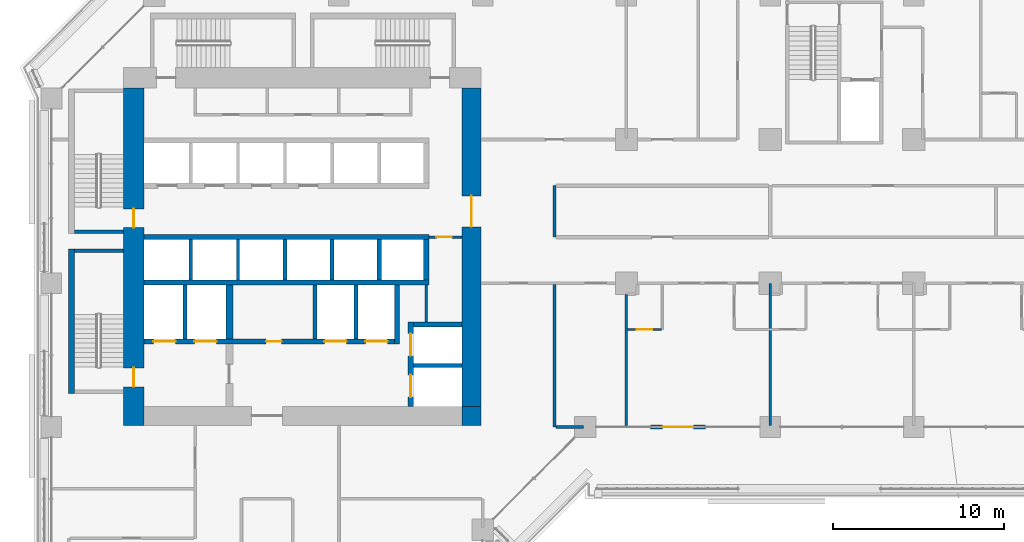
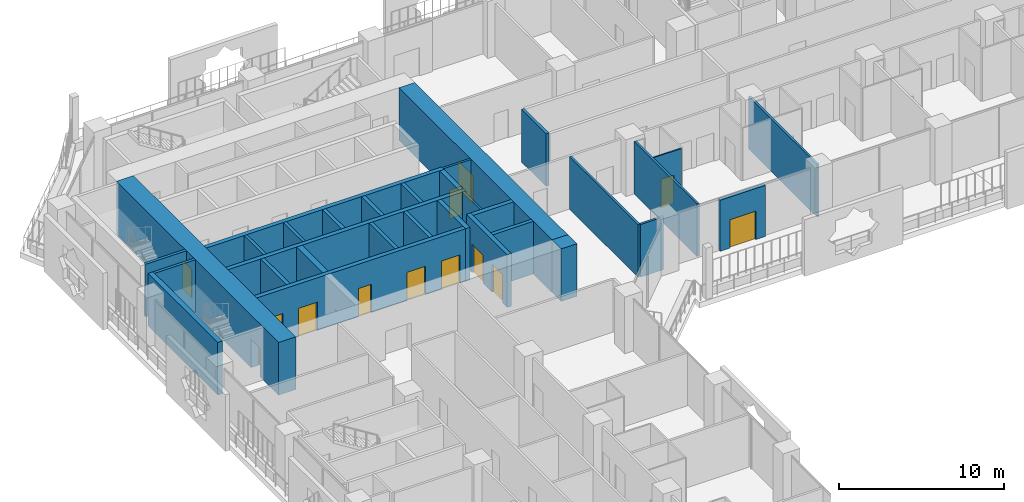
# One storey, part 16 of 29: 32 walls, 13 doors, 13 openings.
"""IFC4 building model written with IfcOpenShell, lengths in metres."""

from ifc_helpers import new_model, si_unit, direction, frame, frame_2d, origin, place, context, subcontext, project, spatial, rectangle, extrude, material, layer, layer_set, type_object, element, fill, save


model = new_model("IFC4")

# Units and contexts
model_context = context("Model", 3, precision=1e-05, world=origin(), true_north=direction((0.0, 1.0)))
body_context = subcontext(model_context, "Body", "Model", "MODEL_VIEW")
ifc_project = project(units=[si_unit("LENGTHUNIT", "METRE"), si_unit("AREAUNIT", "SQUARE_METRE"), si_unit("VOLUMEUNIT", "CUBIC_METRE"), si_unit("PLANEANGLEUNIT", "RADIAN"), si_unit("MASSUNIT", "GRAM", prefix="KILO")], contexts=[model_context])

# Site, building, storey
site_placement = place(None, origin())
site = spatial("IfcSite", under=ifc_project, at=site_placement, CompositionType="ELEMENT")
building_placement = place(site_placement, origin())
building = spatial("IfcBuilding", under=site, at=building_placement, Name="Kawkab Arch Medical Tower", CompositionType="ELEMENT")
storey_placement = place(building_placement, frame((0.0, 0.0, 60.199951171875)))
storey = spatial("IfcBuildingStorey", under=building, at=storey_placement, Name="L13", CompositionType="ELEMENT", Elevation=60.199951171875)

# Wall, opening, door
ifc_material_1 = material(Name="Concrete C60/75", Category="concrete")
ifc_layer_1 = layer(ifc_material_1, 1.10009765625)
ifc_layer_set_1 = layer_set([ifc_layer_1], Name="Concrete C60/75")
wall_type_1 = type_object("IfcWallType", Name="Core ring wall 1100 C60/75", PredefinedType="SHEAR", material=ifc_layer_set_1)
wall_1_placement = place(storey_placement, frame((24.550048828125, -24.0, 0.0), z_axis=(0.0, 0.0, 1.0), x_axis=(0.0, 1.0, 0.0)))
wall_1 = element("IfcWall", 1, at=wall_1_placement, inside=storey, type_object=wall_type_1, Name="L13 core wall", PredefinedType="SHEAR", context=body_context, shape_type="SweptSolid", body=[
    extrude(rectangle(XDim=18.60009765625, YDim=1.10009765625, at=frame_2d((9.300048828125, 0.0))), origin(), (0.0, 0.0, 1.0), 3.900146484375),
])
opening_1_placement = place(wall_1_placement, frame((10.5, 0.0, 0.0)))
opening_1 = element("IfcOpeningElement", 2, at=opening_1_placement, cuts=wall_1, Name="Opening PD", PredefinedType="OPENING", context=body_context, shape_type="SweptSolid", body=[
    extrude(rectangle(XDim=1.800048828125, YDim=2.10009765625, at=frame_2d((0.89990234375, 1.050048828125))), frame((0.0, 0.56005859375, 0.0), z_axis=(0.0, -1.0, 0.0), x_axis=(1.0, 0.0, 0.0)), (0.0, 0.0, 1.0), 1.1201171875),
])
ifc_material_2 = material(Name="Hollow metal fire door leaf")
door_type_1 = type_object("IfcDoorType", Name="Core entrance doors 1800", OperationType="DOUBLE_DOOR_SINGLE_SWING", PredefinedType="DOOR", material=ifc_material_2)
door_1_placement = place(opening_1_placement, origin())
door_1 = element("IfcDoor", 3, at=door_1_placement, inside=storey, type_object=door_type_1, Name="L13 East entrance doors", OperationType="DOUBLE_DOOR_SINGLE_SWING", OverallHeight=2.10009765625, OverallWidth=1.800048828125, PredefinedType="DOOR", context=body_context, shape_type="SweptSolid", body=[
    extrude(rectangle(XDim=1.800048828125, YDim=2.10009765625, at=frame_2d((0.89990234375, 1.050048828125))), frame((0.0, 0.02490234375, 0.0), z_axis=(0.0, -1.0, 0.0), x_axis=(1.0, 0.0, 0.0)), (0.0, 0.0, 1.0), 0.050048828125),
])
fill(opening_1, door_1)

# Wall
wall_2_placement = place(storey_placement, frame((24.550048828125, -25.10009765625, 0.0), z_axis=(0.0, 0.0, 1.0), x_axis=(0.0, 1.0, 0.0)))
element("IfcWall", 4, at=wall_2_placement, inside=storey, type_object=wall_type_1, Name="L13 core wall", PredefinedType="SHEAR", context=body_context, shape_type="SweptSolid", body=[
    extrude(rectangle(XDim=1.10009765625, YDim=1.10009765625, at=frame_2d((0.550048828125, 0.0))), origin(), (0.0, 0.0, 1.0), 3.900146484375),
])

# Wall, openings, doors
ifc_material_3 = material(Name="Concrete C60/75", Category="concrete")
ifc_layer_2 = layer(ifc_material_3, 1.199951171875)
ifc_layer_set_2 = layer_set([ifc_layer_2], Name="Concrete C60/75")
wall_type_2 = type_object("IfcWallType", Name="Core ring wall 1200 C60/75", PredefinedType="SHEAR", material=ifc_layer_set_2)
wall_3_placement = place(storey_placement, frame((4.800048828125, -25.10009765625, 0.0), z_axis=(0.0, 0.0, 1.0), x_axis=(0.0, 1.0, 0.0)))
wall_3 = element("IfcWall", 5, at=wall_3_placement, inside=storey, type_object=wall_type_2, Name="L13 core wall", PredefinedType="SHEAR", context=body_context, shape_type="SweptSolid", body=[
    extrude(rectangle(XDim=19.7001953125, YDim=1.199951171875, at=frame_2d((9.85009765625, 0.0))), origin(), (0.0, 0.0, 1.0), 3.900146484375),
])
opening_2_placement = place(wall_3_placement, frame((11.550048828125, 0.0, 0.0)))
opening_2 = element("IfcOpeningElement", 6, at=opening_2_placement, cuts=wall_3, Name="Opening SD", PredefinedType="OPENING", context=body_context, shape_type="SweptSolid", body=[
    extrude(rectangle(XDim=1.10009765625, YDim=2.10009765625, at=frame_2d((0.550048828125, 1.050048828125))), frame((0.0, 0.60986328125, 0.0), z_axis=(0.0, -1.0, 0.0), x_axis=(1.0, 0.0, 0.0)), (0.0, 0.0, 1.0), 1.219970703125),
])
opening_3_placement = place(wall_3_placement, frame((2.25, 0.0, 0.0)))
opening_3 = element("IfcOpeningElement", 7, at=opening_3_placement, cuts=wall_3, Name="Opening SD", PredefinedType="OPENING", context=body_context, shape_type="SweptSolid", body=[
    extrude(rectangle(XDim=1.10009765625, YDim=2.10009765625, at=frame_2d((0.550048828125, 1.050048828125))), frame((0.0, 0.60986328125, 0.0), z_axis=(0.0, -1.0, 0.0), x_axis=(1.0, 0.0, 0.0)), (0.0, 0.0, 1.0), 1.219970703125),
])
ifc_material_4 = material(Name="Hollow metal fire door leaf")
door_type_2 = type_object("IfcDoorType", Name="Exit stair door 1100", OperationType="SINGLE_SWING_LEFT", PredefinedType="DOOR", material=ifc_material_4)
door_2_placement = place(opening_2_placement, origin())
door_2 = element("IfcDoor", 8, at=door_2_placement, inside=storey, type_object=door_type_2, Name="L13 Exit stair ST1 door", OperationType="SINGLE_SWING_LEFT", OverallHeight=2.10009765625, OverallWidth=1.10009765625, PredefinedType="DOOR", context=body_context, shape_type="SweptSolid", body=[
    extrude(rectangle(XDim=1.10009765625, YDim=2.10009765625, at=frame_2d((0.550048828125, 1.050048828125))), frame((0.0, 0.02490234375, 0.0), z_axis=(0.0, -1.0, 0.0), x_axis=(1.0, 0.0, 0.0)), (0.0, 0.0, 1.0), 0.050048828125),
])
fill(opening_2, door_2)
door_3_placement = place(opening_3_placement, origin())
door_3 = element("IfcDoor", 9, at=door_3_placement, inside=storey, type_object=door_type_2, Name="L13 Exit stair ST2 door", OperationType="SINGLE_SWING_LEFT", OverallHeight=2.10009765625, OverallWidth=1.10009765625, PredefinedType="DOOR", context=body_context, shape_type="SweptSolid", body=[
    extrude(rectangle(XDim=1.10009765625, YDim=2.10009765625, at=frame_2d((0.550048828125, 1.050048828125))), frame((0.0, 0.02490234375, 0.0), z_axis=(0.0, -1.0, 0.0), x_axis=(1.0, 0.0, 0.0)), (0.0, 0.0, 1.0), 0.050048828125),
])
fill(opening_3, door_3)

# Wall
ifc_material_5 = material(Name="Gypsum board on steel studs", Category="steel")
ifc_layer_3 = layer(ifc_material_5, 0.14990234375)
ifc_layer_set_3 = layer_set([ifc_layer_3], Name="Gypsum board on steel studs")
wall_type_3 = type_object("IfcWallType", Name="Core room partition 150", PredefinedType="PARTITIONING", material=ifc_layer_set_3)
wall_4_placement = place(storey_placement, frame((21.89990234375, -19.050048828125, 0.0), z_axis=(0.0, 0.0, 1.0), x_axis=(0.0, 1.0, 0.0)))
element("IfcWall", 10, at=wall_4_placement, inside=storey, type_object=wall_type_3, Name="L13 core room partition", PredefinedType="PARTITIONING", context=body_context, shape_type="SweptSolid", body=[
    extrude(rectangle(XDim=2.150146484375, YDim=0.14990234375, at=frame_2d((1.0751953125, 0.0))), origin(), (0.0, 0.0, 1.0), 3.900146484375),
])

# Wall, opening, door
wall_5_placement = place(storey_placement, frame((22.050048828125, -14.10009765625, 0.0), z_axis=(0.0, 0.0, 1.0), x_axis=(1.0, 0.0, 0.0)))
wall_5 = element("IfcWall", 11, at=wall_5_placement, inside=storey, type_object=wall_type_3, Name="L13 core room partition", PredefinedType="PARTITIONING", context=body_context, shape_type="SweptSolid", body=[
    extrude(rectangle(XDim=1.949951171875, YDim=0.14990234375, at=frame_2d((0.97509765625, 0.0))), origin(), (0.0, 0.0, 1.0), 3.900146484375),
])
opening_4_placement = place(wall_5_placement, frame((0.449951171875, 0.0, 0.0)))
opening_4 = element("IfcOpeningElement", 12, at=opening_4_placement, cuts=wall_5, Name="Opening RD", PredefinedType="OPENING", context=body_context, shape_type="SweptSolid", body=[
    extrude(rectangle(XDim=0.89990234375, YDim=2.10009765625, at=frame_2d((0.449951171875, 1.050048828125))), frame((0.0, 0.0849609375, 0.0), z_axis=(0.0, -1.0, 0.0), x_axis=(1.0, 0.0, 0.0)), (0.0, 0.0, 1.0), 0.169921875),
])
ifc_material_6 = material(Name="Hollow metal fire door leaf")
door_type_3 = type_object("IfcDoorType", Name="Core room door 900", OperationType="SINGLE_SWING_LEFT", PredefinedType="DOOR", material=ifc_material_6)
door_4_placement = place(opening_4_placement, origin())
door_4 = element("IfcDoor", 13, at=door_4_placement, inside=storey, type_object=door_type_3, Name="L13 Clean utility room door", OperationType="SINGLE_SWING_LEFT", OverallHeight=2.10009765625, OverallWidth=0.89990234375, PredefinedType="DOOR", context=body_context, shape_type="SweptSolid", body=[
    extrude(rectangle(XDim=0.89990234375, YDim=2.10009765625, at=frame_2d((0.449951171875, 1.050048828125))), frame((0.0, 0.02490234375, 0.0), z_axis=(0.0, -1.0, 0.0), x_axis=(1.0, 0.0, 0.0)), (0.0, 0.0, 1.0), 0.050048828125),
])
fill(opening_4, door_4)

# Walls
ifc_material_7 = material(Name="Concrete C60/75", Category="concrete")
ifc_layer_4 = layer(ifc_material_7, 0.25)
ifc_layer_set_4 = layer_set([ifc_layer_4], Name="Concrete C60/75")
wall_type_4 = type_object("IfcWallType", Name="Core shear wall 250 C60/75", PredefinedType="SHEAR", material=ifc_layer_set_4)
wall_6_placement = place(storey_placement, frame((21.14990234375, -21.60009765625, 0.0), z_axis=(0.0, 0.0, 1.0), x_axis=(1.0, 0.0, 0.0)))
element("IfcWall", 14, at=wall_6_placement, inside=storey, type_object=wall_type_4, Name="L13 core shear wall", PredefinedType="SHEAR", context=body_context, shape_type="SweptSolid", body=[
    extrude(rectangle(XDim=2.85009765625, YDim=0.25, at=frame_2d((1.425048828125, 0.0))), origin(), (0.0, 0.0, 1.0), 3.900146484375),
])
for number, where, z_axis, x_axis, name in (
    (15, (7.800048828125, -20.050048828125, 0.0), (0.0, 0.0, 1.0), (0.0, 1.0, 0.0), "L13 core shear wall"),
    (16, (15.39990234375, -20.050048828125, 0.0), (0.0, 0.0, 1.0), (0.0, 1.0, 0.0), "L13 core shear wall"),
    (17, (17.800048828125, -20.050048828125, 0.0), (0.0, 0.0, 1.0), (0.0, 1.0, 0.0), "L13 core shear wall"),
):
    element("IfcWall", number, at=place(storey_placement, frame(where, z_axis=z_axis, x_axis=x_axis)), inside=storey, type_object=wall_type_4, Name=name, PredefinedType="SHEAR", context=body_context, shape_type="SweptSolid", body=[
        extrude(rectangle(XDim=3.150146484375, YDim=0.25, at=frame_2d((1.5751953125, 0.0))), origin(), (0.0, 0.0, 1.0), 3.900146484375),
    ])
for number, where, z_axis, x_axis, name in (
    (18, (13.64990234375, -16.60009765625, 0.0), (0.0, 0.0, 1.0), (0.0, 1.0, 0.0), "L13 core shear wall"),
    (19, (16.39990234375, -16.60009765625, 0.0), (0.0, 0.0, 1.0), (0.0, 1.0, 0.0), "L13 core shear wall"),
    (20, (19.14990234375, -16.60009765625, 0.0), (0.0, 0.0, 1.0), (0.0, 1.0, 0.0), "L13 core shear wall"),
):
    element("IfcWall", number, at=place(storey_placement, frame(where, z_axis=z_axis, x_axis=x_axis)), inside=storey, type_object=wall_type_4, Name=name, PredefinedType="SHEAR", context=body_context, shape_type="SweptSolid", body=[
        extrude(rectangle(XDim=2.35009765625, YDim=0.25, at=frame_2d((1.175048828125, 0.0))), origin(), (0.0, 0.0, 1.0), 3.900146484375),
    ])
ifc_material_8 = material(Name="Concrete C60/75", Category="concrete")
ifc_layer_5 = layer(ifc_material_8, 0.300048828125)
ifc_layer_set_5 = layer_set([ifc_layer_5], Name="Concrete C60/75")
wall_type_5 = type_object("IfcWallType", Name="Core shear wall 300 C60/75", PredefinedType="SHEAR", material=ifc_layer_set_5)
for number, where, z_axis, x_axis, name in (
    (21, (5.39990234375, -14.10009765625, 0.0), (0.0, 0.0, 1.0), (1.0, 0.0, 0.0), "L13 core shear wall"),
    (22, (5.39990234375, -16.75, 0.0), (0.0, 0.0, 1.0), (1.0, 0.0, 0.0), "L13 core shear wall"),
):
    element("IfcWall", number, at=place(storey_placement, frame(where, z_axis=z_axis, x_axis=x_axis)), inside=storey, type_object=wall_type_5, Name=name, PredefinedType="SHEAR", context=body_context, shape_type="SweptSolid", body=[
        extrude(rectangle(XDim=16.650146484375, YDim=0.300048828125, at=frame_2d((8.3251953125, 0.0))), origin(), (0.0, 0.0, 1.0), 3.900146484375),
    ])

# Wall, openings, doors
wall_7_placement = place(storey_placement, frame((5.39990234375, -20.199951171875, 0.0), z_axis=(0.0, 0.0, 1.0), x_axis=(1.0, 0.0, 0.0)))
wall_7 = element("IfcWall", 23, at=wall_7_placement, inside=storey, type_object=wall_type_5, Name="L13 core shear wall", PredefinedType="SHEAR", context=body_context, shape_type="SweptSolid", body=[
    extrude(rectangle(XDim=14.650146484375, YDim=0.300048828125, at=frame_2d((7.3251953125, 0.0))), origin(), (0.0, 0.0, 1.0), 3.900146484375),
])
opening_5_placement = place(wall_7_placement, frame((10.550048828125, 0.0, 0.0)))
opening_5 = element("IfcOpeningElement", 24, at=opening_5_placement, cuts=wall_7, Name="Opening LD2", PredefinedType="OPENING", context=body_context, shape_type="SweptSolid", body=[
    extrude(rectangle(XDim=1.300048828125, YDim=2.10009765625, at=frame_2d((0.64990234375, 1.050048828125))), frame((0.0, 0.159912109375, 0.0), z_axis=(0.0, -1.0, 0.0), x_axis=(1.0, 0.0, 0.0)), (0.0, 0.0, 1.0), 0.320068359375),
])
opening_6_placement = place(wall_7_placement, frame((12.949951171875, 0.0, 0.0)))
opening_6 = element("IfcOpeningElement", 25, at=opening_6_placement, cuts=wall_7, Name="Opening LD2", PredefinedType="OPENING", context=body_context, shape_type="SweptSolid", body=[
    extrude(rectangle(XDim=1.300048828125, YDim=2.10009765625, at=frame_2d((0.64990234375, 1.050048828125))), frame((0.0, 0.159912109375, 0.0), z_axis=(0.0, -1.0, 0.0), x_axis=(1.0, 0.0, 0.0)), (0.0, 0.0, 1.0), 0.320068359375),
])
opening_7_placement = place(wall_7_placement, frame((0.550048828125, 0.0, 0.0)))
opening_7 = element("IfcOpeningElement", 26, at=opening_7_placement, cuts=wall_7, Name="Opening LD2", PredefinedType="OPENING", context=body_context, shape_type="SweptSolid", body=[
    extrude(rectangle(XDim=1.300048828125, YDim=2.10009765625, at=frame_2d((0.64990234375, 1.050048828125))), frame((0.0, 0.159912109375, 0.0), z_axis=(0.0, -1.0, 0.0), x_axis=(1.0, 0.0, 0.0)), (0.0, 0.0, 1.0), 0.320068359375),
])
opening_8_placement = place(wall_7_placement, frame((2.949951171875, 0.0, 0.0)))
opening_8 = element("IfcOpeningElement", 27, at=opening_8_placement, cuts=wall_7, Name="Opening LD2", PredefinedType="OPENING", context=body_context, shape_type="SweptSolid", body=[
    extrude(rectangle(XDim=1.300048828125, YDim=2.10009765625, at=frame_2d((0.64990234375, 1.050048828125))), frame((0.0, 0.159912109375, 0.0), z_axis=(0.0, -1.0, 0.0), x_axis=(1.0, 0.0, 0.0)), (0.0, 0.0, 1.0), 0.320068359375),
])
opening_9_placement = place(wall_7_placement, frame((7.14990234375, 0.0, 0.0)))
opening_9 = element("IfcOpeningElement", 28, at=opening_9_placement, cuts=wall_7, Name="Opening RD", PredefinedType="OPENING", context=body_context, shape_type="SweptSolid", body=[
    extrude(rectangle(XDim=0.89990234375, YDim=2.10009765625, at=frame_2d((0.449951171875, 1.050048828125))), frame((0.0, 0.159912109375, 0.0), z_axis=(0.0, -1.0, 0.0), x_axis=(1.0, 0.0, 0.0)), (0.0, 0.0, 1.0), 0.320068359375),
])
door_5_placement = place(opening_9_placement, origin())
door_5 = element("IfcDoor", 29, at=door_5_placement, inside=storey, type_object=door_type_3, Name="L13 Equipment store door", OperationType="SINGLE_SWING_LEFT", OverallHeight=2.10009765625, OverallWidth=0.89990234375, PredefinedType="DOOR", context=body_context, shape_type="SweptSolid", body=[
    extrude(rectangle(XDim=0.89990234375, YDim=2.10009765625, at=frame_2d((0.449951171875, 1.050048828125))), frame((0.0, 0.02490234375, 0.0), z_axis=(0.0, -1.0, 0.0), x_axis=(1.0, 0.0, 0.0)), (0.0, 0.0, 1.0), 0.050048828125),
])
fill(opening_9, door_5)
ifc_material_9 = material(Name="Stainless steel lift door leaf", Category="steel")
door_type_4 = type_object("IfcDoorType", Name="Lift landing door 1300", OperationType="DOUBLE_DOOR_SLIDING", PredefinedType="DOOR", material=ifc_material_9)
door_6_placement = place(opening_5_placement, origin())
door_6 = element("IfcDoor", 30, at=door_6_placement, inside=storey, type_object=door_type_4, Name="L13 Lift landing door BD3", OperationType="DOUBLE_DOOR_SLIDING", OverallHeight=2.10009765625, OverallWidth=1.300048828125, PredefinedType="DOOR", context=body_context, shape_type="SweptSolid", body=[
    extrude(rectangle(XDim=1.300048828125, YDim=2.10009765625, at=frame_2d((0.64990234375, 1.050048828125))), frame((0.0, 0.02490234375, 0.0), z_axis=(0.0, -1.0, 0.0), x_axis=(1.0, 0.0, 0.0)), (0.0, 0.0, 1.0), 0.050048828125),
])
fill(opening_5, door_6)
door_7_placement = place(opening_6_placement, origin())
door_7 = element("IfcDoor", 31, at=door_7_placement, inside=storey, type_object=door_type_4, Name="L13 Lift landing door BD4", OperationType="DOUBLE_DOOR_SLIDING", OverallHeight=2.10009765625, OverallWidth=1.300048828125, PredefinedType="DOOR", context=body_context, shape_type="SweptSolid", body=[
    extrude(rectangle(XDim=1.300048828125, YDim=2.10009765625, at=frame_2d((0.64990234375, 1.050048828125))), frame((0.0, 0.02490234375, 0.0), z_axis=(0.0, -1.0, 0.0), x_axis=(1.0, 0.0, 0.0)), (0.0, 0.0, 1.0), 0.050048828125),
])
fill(opening_6, door_7)
door_8_placement = place(opening_7_placement, origin())
door_8 = element("IfcDoor", 32, at=door_8_placement, inside=storey, type_object=door_type_4, Name="L13 Lift landing door FL1", OperationType="DOUBLE_DOOR_SLIDING", OverallHeight=2.10009765625, OverallWidth=1.300048828125, PredefinedType="DOOR", context=body_context, shape_type="SweptSolid", body=[
    extrude(rectangle(XDim=1.300048828125, YDim=2.10009765625, at=frame_2d((0.64990234375, 1.050048828125))), frame((0.0, 0.02490234375, 0.0), z_axis=(0.0, -1.0, 0.0), x_axis=(1.0, 0.0, 0.0)), (0.0, 0.0, 1.0), 0.050048828125),
])
fill(opening_7, door_8)
door_9_placement = place(opening_8_placement, origin())
door_9 = element("IfcDoor", 33, at=door_9_placement, inside=storey, type_object=door_type_4, Name="L13 Lift landing door FL2", OperationType="DOUBLE_DOOR_SLIDING", OverallHeight=2.10009765625, OverallWidth=1.300048828125, PredefinedType="DOOR", context=body_context, shape_type="SweptSolid", body=[
    extrude(rectangle(XDim=1.300048828125, YDim=2.10009765625, at=frame_2d((0.64990234375, 1.050048828125))), frame((0.0, 0.02490234375, 0.0), z_axis=(0.0, -1.0, 0.0), x_axis=(1.0, 0.0, 0.0)), (0.0, 0.0, 1.0), 0.050048828125),
])
fill(opening_8, door_9)

# Walls
wall_8_placement = place(storey_placement, frame((20.199951171875, -20.35009765625, 0.0), z_axis=(0.0, 0.0, 1.0), x_axis=(0.0, 1.0, 0.0)))
element("IfcWall", 34, at=wall_8_placement, inside=storey, type_object=wall_type_5, Name="L13 core shear wall", PredefinedType="SHEAR", context=body_context, shape_type="SweptSolid", body=[
    extrude(rectangle(XDim=3.4501953125, YDim=0.300048828125, at=frame_2d((1.72509765625, 0.0))), origin(), (0.0, 0.0, 1.0), 3.900146484375),
])
wall_9_placement = place(storey_placement, frame((21.89990234375, -16.60009765625, 0.0), z_axis=(0.0, 0.0, 1.0), x_axis=(0.0, 1.0, 0.0)))
element("IfcWall", 35, at=wall_9_placement, inside=storey, type_object=wall_type_5, Name="L13 core shear wall", PredefinedType="SHEAR", context=body_context, shape_type="SweptSolid", body=[
    extrude(rectangle(XDim=2.35009765625, YDim=0.300048828125, at=frame_2d((1.175048828125, 0.0))), origin(), (0.0, 0.0, 1.0), 3.900146484375),
])
wall_10_placement = place(storey_placement, frame((21.14990234375, -19.199951171875, 0.0), z_axis=(0.0, 0.0, 1.0), x_axis=(1.0, 0.0, 0.0)))
element("IfcWall", 36, at=wall_10_placement, inside=storey, type_object=wall_type_5, Name="L13 core shear wall", PredefinedType="SHEAR", context=body_context, shape_type="SweptSolid", body=[
    extrude(rectangle(XDim=2.85009765625, YDim=0.300048828125, at=frame_2d((1.425048828125, 0.0))), origin(), (0.0, 0.0, 1.0), 3.900146484375),
])

# Wall, openings, doors
wall_11_placement = place(storey_placement, frame((21.0, -24.0, 0.0), z_axis=(0.0, 0.0, 1.0), x_axis=(0.0, 1.0, 0.0)))
wall_11 = element("IfcWall", 37, at=wall_11_placement, inside=storey, type_object=wall_type_5, Name="L13 core shear wall", PredefinedType="SHEAR", context=body_context, shape_type="SweptSolid", body=[
    extrude(rectangle(XDim=4.949951171875, YDim=0.300048828125, at=frame_2d((2.47509765625, 0.0))), origin(), (0.0, 0.0, 1.0), 3.900146484375),
])
opening_10_placement = place(wall_11_placement, frame((2.949951171875, 0.0, 0.0)))
opening_10 = element("IfcOpeningElement", 38, at=opening_10_placement, cuts=wall_11, Name="Opening LD2", PredefinedType="OPENING", context=body_context, shape_type="SweptSolid", body=[
    extrude(rectangle(XDim=1.300048828125, YDim=2.10009765625, at=frame_2d((0.64990234375, 1.050048828125))), frame((0.0, 0.159912109375, 0.0), z_axis=(0.0, -1.0, 0.0), x_axis=(1.0, 0.0, 0.0)), (0.0, 0.0, 1.0), 0.320068359375),
])
opening_11_placement = place(wall_11_placement, frame((0.550048828125, 0.0, 0.0)))
opening_11 = element("IfcOpeningElement", 39, at=opening_11_placement, cuts=wall_11, Name="Opening LD2", PredefinedType="OPENING", context=body_context, shape_type="SweptSolid", body=[
    extrude(rectangle(XDim=1.300048828125, YDim=2.10009765625, at=frame_2d((0.64990234375, 1.050048828125))), frame((0.0, 0.159912109375, 0.0), z_axis=(0.0, -1.0, 0.0), x_axis=(1.0, 0.0, 0.0)), (0.0, 0.0, 1.0), 0.320068359375),
])
door_10_placement = place(opening_10_placement, origin())
door_10 = element("IfcDoor", 40, at=door_10_placement, inside=storey, type_object=door_type_4, Name="L13 Lift landing door BD1", OperationType="DOUBLE_DOOR_SLIDING", OverallHeight=2.10009765625, OverallWidth=1.300048828125, PredefinedType="DOOR", context=body_context, shape_type="SweptSolid", body=[
    extrude(rectangle(XDim=1.300048828125, YDim=2.10009765625, at=frame_2d((0.64990234375, 1.050048828125))), frame((0.0, 0.02490234375, 0.0), z_axis=(0.0, -1.0, 0.0), x_axis=(1.0, 0.0, 0.0)), (0.0, 0.0, 1.0), 0.050048828125),
])
fill(opening_10, door_10)
door_11_placement = place(opening_11_placement, origin())
door_11 = element("IfcDoor", 41, at=door_11_placement, inside=storey, type_object=door_type_4, Name="L13 Lift landing door BD2", OperationType="DOUBLE_DOOR_SLIDING", OverallHeight=2.10009765625, OverallWidth=1.300048828125, PredefinedType="DOOR", context=body_context, shape_type="SweptSolid", body=[
    extrude(rectangle(XDim=1.300048828125, YDim=2.10009765625, at=frame_2d((0.64990234375, 1.050048828125))), frame((0.0, 0.02490234375, 0.0), z_axis=(0.0, -1.0, 0.0), x_axis=(1.0, 0.0, 0.0)), (0.0, 0.0, 1.0), 0.050048828125),
])
fill(opening_11, door_11)

# Wall
ifc_material_10 = material(Name="Concrete C60/75", Category="concrete")
ifc_layer_6 = layer(ifc_material_10, 0.39990234375)
ifc_layer_set_6 = layer_set([ifc_layer_6], Name="Concrete C60/75")
wall_type_6 = type_object("IfcWallType", Name="Core shear wall 400 C60/75", PredefinedType="SHEAR", material=ifc_layer_set_6)
wall_12_placement = place(storey_placement, frame((10.39990234375, -20.050048828125, 0.0), z_axis=(0.0, 0.0, 1.0), x_axis=(0.0, 1.0, 0.0)))
element("IfcWall", 42, at=wall_12_placement, inside=storey, type_object=wall_type_6, Name="L13 core shear wall", PredefinedType="SHEAR", context=body_context, shape_type="SweptSolid", body=[
    extrude(rectangle(XDim=3.150146484375, YDim=0.39990234375, at=frame_2d((1.5751953125, 0.0))), origin(), (0.0, 0.0, 1.0), 3.900146484375),
])

# Wall, opening, door
ifc_material_11 = material(Name="Bronze clad insulated wall panel")
ifc_layer_7 = layer(ifc_material_11, 0.25)
ifc_layer_set_7 = layer_set([ifc_layer_7], Name="Bronze clad insulated wall panel")
wall_type_7 = type_object("IfcWallType", Name="External wall bay 250", PredefinedType="SOLIDWALL", material=ifc_layer_set_7)
wall_13_placement = place(storey_placement, frame((35.0166015625, -25.199951171875, 0.0), z_axis=(0.0, 0.0, 1.0), x_axis=(1.0, 0.0, 0.0)))
wall_13 = element("IfcWall", 43, at=wall_13_placement, inside=storey, type_object=wall_type_7, Name="External wall bay L13.R07.1.2", PredefinedType="SOLIDWALL", context=body_context, shape_type="SweptSolid", body=[
    extrude(rectangle(XDim=3.191650390625, YDim=0.25, at=frame_2d((1.595703125, 0.0))), origin(), (0.0, 0.0, 1.0), 3.780029296875),
])
opening_12_placement = place(wall_13_placement, frame((0.69580078125, 0.0, 0.0)))
opening_12 = element("IfcOpeningElement", 44, at=opening_12_placement, cuts=wall_13, Name="Opening W13A-702", PredefinedType="OPENING", context=body_context, shape_type="SweptSolid", body=[
    extrude(rectangle(XDim=1.800048828125, YDim=2.10009765625, at=frame_2d((0.89990234375, 1.050048828125))), frame((0.0, 0.135009765625, 0.0), z_axis=(0.0, -1.0, 0.0), x_axis=(1.0, 0.0, 0.0)), (0.0, 0.0, 1.0), 0.27001953125),
])
ifc_material_12 = material(Name="Bronze anodised aluminium door with tinted glass", Category="aluminium")
door_type_5 = type_object("IfcDoorType", Name="Double external door 1800 x 2100", OperationType="DOUBLE_DOOR_SINGLE_SWING", PredefinedType="DOOR", material=ifc_material_12)
door_12_placement = place(opening_12_placement, origin())
door_12 = element("IfcDoor", 45, at=door_12_placement, inside=storey, type_object=door_type_5, Name="External door L13.R07.1.2", OperationType="DOUBLE_DOOR_SINGLE_SWING", OverallHeight=2.10009765625, OverallWidth=1.800048828125, PredefinedType="DOOR", context=body_context, shape_type="SweptSolid", body=[
    extrude(rectangle(XDim=1.800048828125, YDim=2.10009765625, at=frame_2d((0.89990234375, 1.050048828125))), frame((0.0, 0.02490234375, 0.0), z_axis=(0.0, -1.0, 0.0), x_axis=(1.0, 0.0, 0.0)), (0.0, 0.0, 1.0), 0.050048828125),
])
fill(opening_12, door_12)

# Walls
ifc_material_13 = material(Name="Dense concrete blockwork", Category="masonry")
ifc_layer_8 = layer(ifc_material_13, 0.199951171875)
ifc_layer_set_8 = layer_set([ifc_layer_8], Name="Dense concrete blockwork")
wall_type_8 = type_object("IfcWallType", Name="Lift shaft partition 200", PredefinedType="PARTITIONING", material=ifc_layer_set_8)
for number, where, z_axis, x_axis, name in (
    (46, (8.14990234375, -16.60009765625, 0.0), (0.0, 0.0, 1.0), (0.0, 1.0, 0.0), "L13 lift shaft partition"),
    (47, (10.89990234375, -16.60009765625, 0.0), (0.0, 0.0, 1.0), (0.0, 1.0, 0.0), "L13 lift shaft partition"),
):
    element("IfcWall", number, at=place(storey_placement, frame(where, z_axis=z_axis, x_axis=x_axis)), inside=storey, type_object=wall_type_8, Name=name, PredefinedType="PARTITIONING", context=body_context, shape_type="SweptSolid", body=[
        extrude(rectangle(XDim=2.35009765625, YDim=0.199951171875, at=frame_2d((1.175048828125, 0.0))), origin(), (0.0, 0.0, 1.0), 3.900146484375),
    ])

# Wall, opening, door
ifc_material_14 = material(Name="Gypsum board partition on steel studs", Category="steel")
ifc_layer_9 = layer(ifc_material_14, 0.10009765625)
ifc_layer_set_9 = layer_set([ifc_layer_9], Name="Gypsum board partition on steel studs")
wall_type_9 = type_object("IfcWallType", Name="Partition 100", PredefinedType="PARTITIONING", material=ifc_layer_set_9)
wall_14_placement = place(storey_placement, frame((33.675048828125, -19.5, 0.0), z_axis=(0.0, 0.0, 1.0), x_axis=(1.0, 0.0, 0.0)))
wall_14 = element("IfcWall", 48, at=wall_14_placement, inside=storey, type_object=wall_type_9, Name="Partition 100 w012", PredefinedType="PARTITIONING", context=body_context, shape_type="SweptSolid", body=[
    extrude(rectangle(XDim=1.974853515625, YDim=0.10009765625, at=frame_2d((0.9873046875, 0.0))), origin(), (0.0, 0.0, 1.0), 3.900146484375),
])
opening_13_placement = place(wall_14_placement, frame((0.52490234375, 0.0, 0.0)))
opening_13 = element("IfcOpeningElement", 49, at=opening_13_placement, cuts=wall_14, Name="Opening W13A-004", PredefinedType="OPENING", context=body_context, shape_type="SweptSolid", body=[
    extrude(rectangle(XDim=0.89990234375, YDim=2.10009765625, at=frame_2d((0.449951171875, 1.050048828125))), frame((0.0, 0.06005859375, 0.0), z_axis=(0.0, -1.0, 0.0), x_axis=(1.0, 0.0, 0.0)), (0.0, 0.0, 1.0), 0.1201171875),
])
ifc_material_15 = material(Name="Timber door leaf", Category="wood")
door_type_6 = type_object("IfcDoorType", Name="Single door 900x2100", OperationType="NOTDEFINED", PredefinedType="DOOR", material=ifc_material_15)
door_13_placement = place(opening_13_placement, origin())
door_13 = element("IfcDoor", 50, at=door_13_placement, inside=storey, type_object=door_type_6, Name="Door W13A-004", OperationType="SINGLE_SWING_RIGHT", OverallHeight=2.10009765625, OverallWidth=0.89990234375, PredefinedType="DOOR", context=body_context, shape_type="SweptSolid", body=[
    extrude(rectangle(XDim=0.89990234375, YDim=2.10009765625, at=frame_2d((0.449951171875, 1.050048828125))), frame((0.0, 0.02490234375, 0.0), z_axis=(0.0, -1.0, 0.0), x_axis=(1.0, 0.0, 0.0)), (0.0, 0.0, 1.0), 0.050048828125),
])
fill(opening_13, door_13)

# Walls
ifc_material_16 = material(Name="Gypsum board partition on steel studs, mineral wool", Category="steel")
ifc_layer_10 = layer(ifc_material_16, 0.14990234375)
ifc_layer_set_10 = layer_set([ifc_layer_10], Name="Gypsum board partition on steel studs, mineral wool")
wall_type_10 = type_object("IfcWallType", Name="Partition 150", PredefinedType="PARTITIONING", material=ifc_layer_set_10)
wall_15_placement = place(storey_placement, frame((29.47509765625, -25.199951171875, 0.0), z_axis=(0.0, 0.0, 1.0), x_axis=(1.0, 0.0, 0.0)))
element("IfcWall", 51, at=wall_15_placement, inside=storey, type_object=wall_type_10, Name="Partition 150 w066", PredefinedType="PARTITIONING", context=body_context, shape_type="SweptSolid", body=[
    extrude(rectangle(XDim=1.61181640625, YDim=0.14990234375, at=frame_2d((0.805908203125, 0.0))), origin(), (0.0, 0.0, 1.0), 3.900146484375),
])
wall_16_placement = place(storey_placement, frame((29.39990234375, -25.199951171875, 0.0), z_axis=(0.0, 0.0, 1.0), x_axis=(0.0, 1.0, 0.0)))
element("IfcWall", 52, at=wall_16_placement, inside=storey, type_object=wall_type_10, Name="Partition 150 w096", PredefinedType="PARTITIONING", context=body_context, shape_type="SweptSolid", body=[
    extrude(rectangle(XDim=8.324951171875, YDim=0.14990234375, at=frame_2d((4.16259765625, 0.0))), origin(), (0.0, 0.0, 1.0), 3.900146484375),
])
wall_17_placement = place(storey_placement, frame((33.60009765625, -25.1201171875, 0.0), z_axis=(0.0, 0.0, 1.0), x_axis=(0.0, 1.0, 0.0)))
element("IfcWall", 53, at=wall_17_placement, inside=storey, type_object=wall_type_10, Name="Partition 150 w097", PredefinedType="PARTITIONING", context=body_context, shape_type="SweptSolid", body=[
    extrude(rectangle(XDim=7.668212890625, YDim=0.14990234375, at=frame_2d((3.833984375, 0.0))), origin(), (0.0, 0.0, 1.0), 3.900146484375),
])
wall_18_placement = place(storey_placement, frame((42.0, -25.1201171875, 0.0), z_axis=(0.0, 0.0, 1.0), x_axis=(0.0, 1.0, 0.0)))
element("IfcWall", 54, at=wall_18_placement, inside=storey, type_object=wall_type_10, Name="Partition 150 w103", PredefinedType="PARTITIONING", context=body_context, shape_type="SweptSolid", body=[
    extrude(rectangle(XDim=8.318115234375, YDim=0.14990234375, at=frame_2d((4.1591796875, 0.0))), origin(), (0.0, 0.0, 1.0), 3.900146484375),
])
ifc_material_17 = material(Name="Fire-rated gypsum board partition on steel studs", Category="steel")
ifc_layer_11 = layer(ifc_material_17, 0.199951171875)
ifc_layer_set_11 = layer_set([ifc_layer_11], Name="Fire-rated gypsum board partition on steel studs")
wall_type_11 = type_object("IfcWallType", Name="Protected partition 200", PredefinedType="PARTITIONING", material=ifc_layer_set_11)
wall_19_placement = place(storey_placement, frame((29.39990234375, -14.10009765625, 0.0), z_axis=(0.0, 0.0, 1.0), x_axis=(0.0, 1.0, 0.0)))
element("IfcWall", 55, at=wall_19_placement, inside=storey, type_object=wall_type_11, Name="Protected partition 200 w126", PredefinedType="PARTITIONING", context=body_context, shape_type="SweptSolid", body=[
    extrude(rectangle(XDim=3.0, YDim=0.199951171875, at=frame_2d((1.5, 0.0))), origin(), (0.0, 0.0, 1.0), 3.900146484375),
])
ifc_material_18 = material(Name="Concrete C50/60", Category="concrete")
ifc_layer_12 = layer(ifc_material_18, 0.199951171875)
ifc_layer_set_12 = layer_set([ifc_layer_12], Name="Concrete C50/60")
wall_type_12 = type_object("IfcWallType", Name="Stair enclosure wall 200 C50/60", PredefinedType="SHEAR", material=ifc_layer_set_12)
for number, where, z_axis, x_axis, name in (
    (56, (1.35009765625, -13.800048828125, 0.0), (0.0, 0.0, 1.0), (1.0, 0.0, 0.0), "L13 stair enclosure wall"),
    (57, (1.35009765625, -14.89990234375, 0.0), (0.0, 0.0, 1.0), (1.0, 0.0, 0.0), "L13 stair enclosure wall"),
):
    element("IfcWall", number, at=place(storey_placement, frame(where, z_axis=z_axis, x_axis=x_axis)), inside=storey, type_object=wall_type_12, Name=name, PredefinedType="SHEAR", context=body_context, shape_type="SweptSolid", body=[
        extrude(rectangle(XDim=2.849853515625, YDim=0.199951171875, at=frame_2d((1.4248046875, 0.0))), origin(), (0.0, 0.0, 1.0), 3.900146484375),
    ])
ifc_material_19 = material(Name="Concrete C50/60", Category="concrete")
ifc_layer_13 = layer(ifc_material_19, 0.35009765625)
ifc_layer_set_13 = layer_set([ifc_layer_13], Name="Concrete C50/60")
wall_type_13 = type_object("IfcWallType", Name="Stair enclosure wall 350 C50/60", PredefinedType="SHEAR", material=ifc_layer_set_13)
wall_20_placement = place(storey_placement, frame((1.175048828125, -23.25, 0.0), z_axis=(0.0, 0.0, 1.0), x_axis=(0.0, 1.0, 0.0)))
element("IfcWall", 58, at=wall_20_placement, inside=storey, type_object=wall_type_13, Name="L13 stair enclosure wall", PredefinedType="SHEAR", context=body_context, shape_type="SweptSolid", body=[
    extrude(rectangle(XDim=8.449951171875, YDim=0.35009765625, at=frame_2d((4.22509765625, 0.0))), origin(), (0.0, 0.0, 1.0), 3.900146484375),
])

save(model, "model.ifc")
